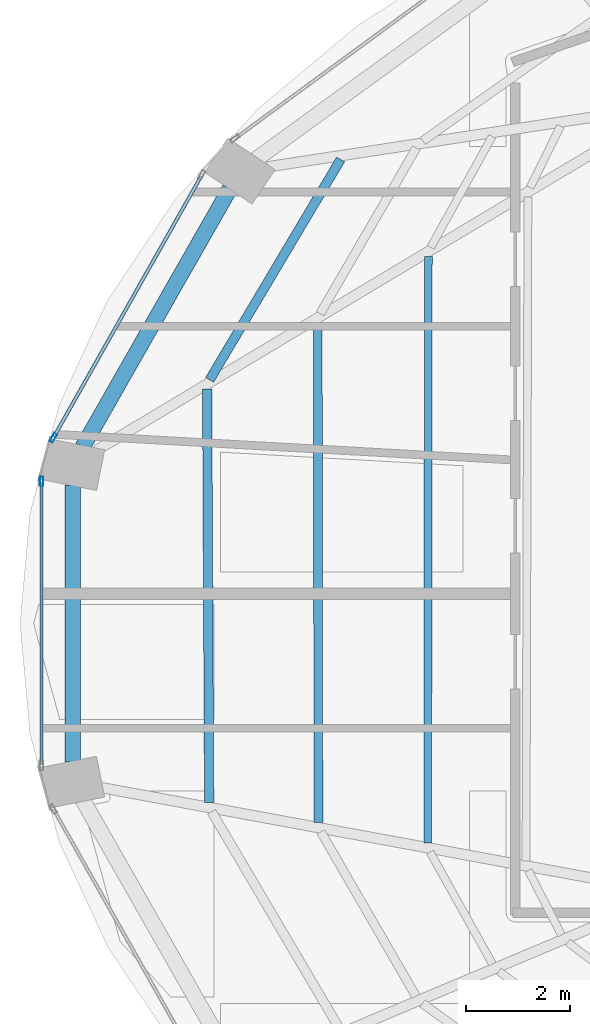
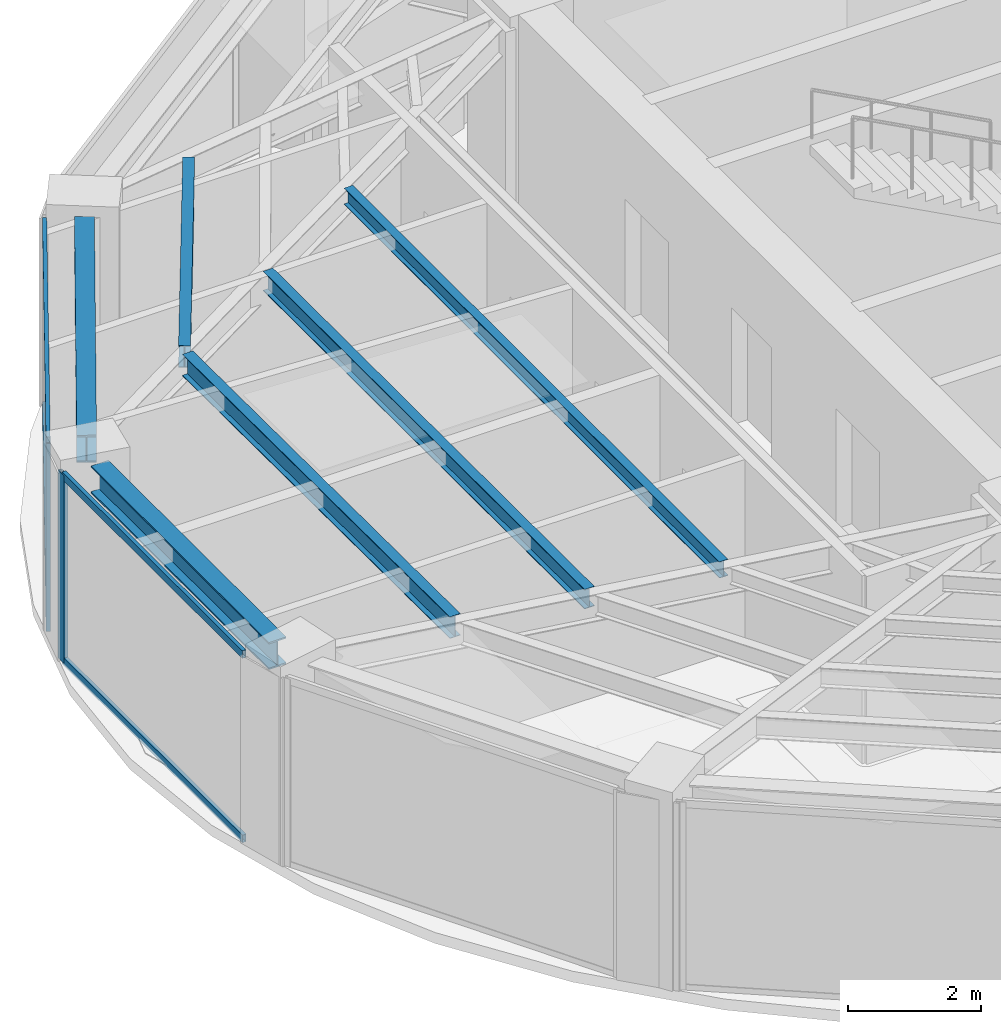
# One storey, part 8 of 23: 6 beams, 6 members, 2 elements without a shape of their own.
"""IFC4 building model written with IfcOpenShell, lengths in metres."""

from ifc_helpers import new_model, si_unit, direction, frame, origin, origin_2d, place, context, subcontext, project, spatial, hollow_rectangle, i_section, extrude, material, layer, layer_set, material_profile, profile_set, type_object, element, aggregate, save


model = new_model("IFC4")

# Units and contexts
model_context = context("Model", 3, precision=1e-05, world=origin(), true_north=direction((0.0, 1.0)))
body_context = subcontext(model_context, "Body", "Model", "MODEL_VIEW")
ifc_project = project(units=[si_unit("LENGTHUNIT", "METRE"), si_unit("AREAUNIT", "SQUARE_METRE"), si_unit("VOLUMEUNIT", "CUBIC_METRE"), si_unit("PLANEANGLEUNIT", "RADIAN"), si_unit("MASSUNIT", "GRAM", prefix="KILO")], contexts=[model_context])

# Site, building, storey
site_placement = place(None, origin())
site = spatial("IfcSite", under=ifc_project, at=site_placement, CompositionType="ELEMENT")
building_placement = place(site_placement, origin())
building = spatial("IfcBuilding", under=site, at=building_placement, Name="Lazwardi Medical Tower", CompositionType="ELEMENT")
storey_placement = place(building_placement, frame((0.0, 0.0, 205.77587890625)))
storey = spatial("IfcBuildingStorey", under=building, at=storey_placement, Name="L53", CompositionType="ELEMENT", Elevation=205.77587890625)

# Beams
ifc_material_1 = material(Name="Steel S355", Category="steel")
ifc_material_profile_1 = material_profile(ifc_material_1, i_section(OverallWidth=0.300048828125, OverallDepth=0.5, WebThickness=0.014404296875, FlangeThickness=0.028076171875, at=origin_2d()), Name="HEB 500")
ifc_profile_set_1 = profile_set([ifc_material_profile_1], Name="Steel S355")
beam_type_1 = type_object("IfcBeamType", Name="BM-RB-Z4", PredefinedType="BEAM", material=ifc_profile_set_1)
beam_1_placement = place(storey_placement, frame((17.84716796875, 33.983642578125, 3.1982421875), z_axis=(-0.495125273299, -0.868821594886, 0.0), x_axis=(0.868821594886, -0.495125273299, 0.0)))
element("IfcBeam", 1, at=beam_1_placement, inside=storey, type_object=beam_type_1, Name="Ring beam RB-05 B11 L53", PredefinedType="BEAM", context=body_context, shape_type="SweptSolid", body=[
    extrude(i_section(OverallWidth=0.300048828125, OverallDepth=0.5, WebThickness=0.014404296875, FlangeThickness=0.028076171875, at=origin_2d()), origin(), (0.0, 0.0, 1.0), 5.734130859375),
])
beam_2_placement = place(storey_placement, frame((14.81494140625, 28.27294921875, 3.1982421875), z_axis=(0.0, -1.0, 0.0), x_axis=(1.0, 0.0, 0.0)))
element("IfcBeam", 2, at=beam_2_placement, inside=storey, type_object=beam_type_1, Name="Ring beam RB-05 B12 L53", PredefinedType="BEAM", context=body_context, shape_type="SweptSolid", body=[
    extrude(i_section(OverallWidth=0.300048828125, OverallDepth=0.5, WebThickness=0.014404296875, FlangeThickness=0.028076171875, at=origin_2d()), origin(), (0.0, 0.0, 1.0), 5.345947265625),
])
ifc_material_profile_2 = material_profile(ifc_material_1, i_section(OverallWidth=0.179931640625, OverallDepth=0.39990234375, WebThickness=0.008544921875, FlangeThickness=0.013427734375, at=origin_2d()), Name="IPE 400")
ifc_profile_set_2 = profile_set([ifc_material_profile_2], Name="Steel S355")
beam_type_2 = type_object("IfcBeamType", Name="BM-SJ-01", PredefinedType="JOIST", material=ifc_profile_set_2)
beam_3_placement = place(storey_placement, frame((19.98095703125, 34.544921875, 3.248046875), z_axis=(-0.510967866251, -0.859599813668, 0.0), x_axis=(0.859599813668, -0.510967866251, 0.0)))
element("IfcBeam", 3, at=beam_3_placement, inside=storey, type_object=beam_type_2, Name="Secondary joist SJ-01 R1 B11 L53", PredefinedType="JOIST", context=body_context, shape_type="SweptSolid", body=[
    extrude(i_section(OverallWidth=0.179931640625, OverallDepth=0.39990234375, WebThickness=0.008544921875, FlangeThickness=0.013427734375, at=origin_2d()), origin(), (0.0, 0.0, 1.0), 4.94189453125),
])
beam_4_placement = place(storey_placement, frame((17.407958984375, 30.120361328125, 3.248046875), z_axis=(0.004929366644, -0.999987850598, 0.0), x_axis=(0.999987850598, 0.004929366644, 0.0)))
element("IfcBeam", 4, at=beam_4_placement, inside=storey, type_object=beam_type_2, Name="Secondary joist SJ-01 R1 B12 L53", PredefinedType="JOIST", context=body_context, shape_type="SweptSolid", body=[
    extrude(i_section(OverallWidth=0.179931640625, OverallDepth=0.39990234375, WebThickness=0.008544921875, FlangeThickness=0.013427734375, at=origin_2d()), origin(), (0.0, 0.0, 1.0), 7.973876953125),
])
ifc_material_profile_3 = material_profile(ifc_material_1, i_section(OverallWidth=0.169921875, OverallDepth=0.360107421875, WebThickness=0.008056640625, FlangeThickness=0.0126953125, at=origin_2d()), Name="IPE 360")
ifc_profile_set_3 = profile_set([ifc_material_profile_3], Name="Steel S355")
beam_type_3 = type_object("IfcBeamType", Name="BM-SJ-02", PredefinedType="JOIST", material=ifc_profile_set_3)
beam_5_placement = place(storey_placement, frame((19.541015625, 31.397705078125, 3.26806640625), z_axis=(0.001367606673, -0.999999064826, 0.0), x_axis=(0.999999064826, 0.001367606673, 0.0)))
element("IfcBeam", 5, at=beam_5_placement, inside=storey, type_object=beam_type_3, Name="Secondary joist SJ-02 R2 B12 L53", PredefinedType="JOIST", context=body_context, shape_type="SweptSolid", body=[
    extrude(i_section(OverallWidth=0.169921875, OverallDepth=0.360107421875, WebThickness=0.008056640625, FlangeThickness=0.0126953125, at=origin_2d()), origin(), (0.0, 0.0, 1.0), 9.639892578125),
])
ifc_material_profile_4 = material_profile(ifc_material_1, i_section(OverallWidth=0.14990234375, OverallDepth=0.300048828125, WebThickness=0.007080078125, FlangeThickness=0.0107421875, at=origin_2d()), Name="IPE 300")
ifc_profile_set_4 = profile_set([ifc_material_profile_4], Name="Steel S355")
beam_type_4 = type_object("IfcBeamType", Name="BM-SJ-03", PredefinedType="JOIST", material=ifc_profile_set_4)
beam_6_placement = place(storey_placement, frame((21.674072265625, 32.67529296875, 3.298095703125), z_axis=(-0.001166079235, -0.999999320129, 0.0), x_axis=(0.999999320129, -0.001166079235, 0.0)))
element("IfcBeam", 6, at=beam_6_placement, inside=storey, type_object=beam_type_4, Name="Secondary joist SJ-03 R3 B12 L53", PredefinedType="JOIST", context=body_context, shape_type="SweptSolid", body=[
    extrude(i_section(OverallWidth=0.14990234375, OverallDepth=0.300048828125, WebThickness=0.007080078125, FlangeThickness=0.0107421875, at=origin_2d()), origin(), (0.0, 0.0, 1.0), 11.305908203125),
])

# Curtain wall, member
ifc_material_2 = material(Name="Anodised bronze aluminium and solar control glazing", Category="aluminium")
ifc_layer = layer(ifc_material_2, 0.18994140625)
ifc_layer_set = layer_set([ifc_layer], Name="Anodised bronze aluminium and solar control glazing")
curtain_wall_type = type_object("IfcCurtainWallType", Name="CW-SYS-04", PredefinedType="NOTDEFINED", material=ifc_layer_set)
curtain_wall_1_placement = place(storey_placement, origin())
curtain_wall_1 = element("IfcCurtainWall", 7, at=curtain_wall_1_placement, inside=storey, type_object=curtain_wall_type, Name="L53 Unitised bronze curtain wall CW-04", PredefinedType="NOTDEFINED")
ifc_material_3 = material(Name="Anodised bronze aluminium", Category="aluminium")
ifc_material_profile_5 = material_profile(ifc_material_3, hollow_rectangle(XDim=0.06494140625, YDim=0.179931640625, WallThickness=0.00390625, at=origin_2d()), Name="ALU-MULLION 180x65x4")
ifc_profile_set_5 = profile_set([ifc_material_profile_5], Name="Anodised bronze aluminium")
member_type_1 = type_object("IfcMemberType", Name="CW-MUL-03", PredefinedType="MULLION", material=ifc_profile_set_5)
member_1_placement = place(storey_placement, frame((14.442626953125, 29.17822265625, 0.0), z_axis=(0.0, 0.0, 1.0), x_axis=(0.870651436011, -0.491900474661, 0.0)))
member_1 = element("IfcMember", 8, at=member_1_placement, type_object=member_type_1, Name="CW-04 mullion 2", PredefinedType="MULLION", context=body_context, shape_type="SweptSolid", body=[
    extrude(hollow_rectangle(XDim=0.06494140625, YDim=0.179931640625, WallThickness=0.00390625, at=origin_2d()), origin(), (0.0, 0.0, 1.0), 3.4482421875),
])

curtain_wall_2_placement = place(storey_placement, origin())
curtain_wall_2 = element("IfcCurtainWall", 9, at=curtain_wall_2_placement, inside=storey, type_object=curtain_wall_type, Name="L53 Unitised bronze curtain wall CW-04", PredefinedType="NOTDEFINED")
member_2_placement = place(storey_placement, frame((14.2158203125, 28.340576171875, 0.0), z_axis=(0.0, 0.0, 1.0), x_axis=(1.0, 0.0, 0.0)))
member_2 = element("IfcMember", 10, at=member_2_placement, type_object=member_type_1, Name="CW-04 mullion 1", PredefinedType="MULLION", context=body_context, shape_type="SweptSolid", body=[
    extrude(hollow_rectangle(XDim=0.06494140625, YDim=0.179931640625, WallThickness=0.00390625, at=origin_2d()), origin(), (0.0, 0.0, 1.0), 3.4482421875),
])

# Member
ifc_material_profile_6 = material_profile(ifc_material_3, hollow_rectangle(XDim=0.06494140625, YDim=0.139892578125, WallThickness=0.00341796875, at=origin_2d()), Name="ALU-TRANSOM 140x65x3.5")
ifc_profile_set_6 = profile_set([ifc_material_profile_6], Name="Anodised bronze aluminium")
member_type_2 = type_object("IfcMemberType", Name="CW-TRN-03", PredefinedType="USERDEFINED", material=ifc_profile_set_6)
member_3_placement = place(storey_placement, frame((17.28955078125, 34.21728515625, 0.03271484375), z_axis=(-0.491879719484, -0.87066316194, 0.0), x_axis=(0.87066316194, -0.491879719484, 0.0)))
member_3 = element("IfcMember", 11, at=member_3_placement, type_object=member_type_2, Name="CW-04 transom 1.1", ObjectType="TRANSOM", PredefinedType="USERDEFINED", context=body_context, shape_type="SweptSolid", body=[
    extrude(hollow_rectangle(XDim=0.06494140625, YDim=0.139892578125, WallThickness=0.00341796875, at=origin_2d()), origin(), (0.0, 0.0, 1.0), 5.755126953125),
])

member_4_placement = place(storey_placement, frame((17.28955078125, 34.21728515625, 3.41552734375), z_axis=(-0.491879719484, -0.87066316194, 0.0), x_axis=(0.87066316194, -0.491879719484, 0.0)))
member_4 = element("IfcMember", 12, at=member_4_placement, type_object=member_type_2, Name="CW-04 transom 1.2", ObjectType="TRANSOM", PredefinedType="USERDEFINED", context=body_context, shape_type="SweptSolid", body=[
    extrude(hollow_rectangle(XDim=0.06494140625, YDim=0.139892578125, WallThickness=0.00341796875, at=origin_2d()), origin(), (0.0, 0.0, 1.0), 5.755126953125),
])

aggregate(curtain_wall_1, [member_1, member_3, member_4])

member_5_placement = place(storey_placement, frame((14.2158203125, 28.30810546875, 0.03271484375), z_axis=(0.0, -1.0, 0.0), x_axis=(1.0, 0.0, 0.0)))
member_5 = element("IfcMember", 13, at=member_5_placement, type_object=member_type_2, Name="CW-04 transom 1.1", ObjectType="TRANSOM", PredefinedType="USERDEFINED", context=body_context, shape_type="SweptSolid", body=[
    extrude(hollow_rectangle(XDim=0.06494140625, YDim=0.139892578125, WallThickness=0.00341796875, at=origin_2d()), origin(), (0.0, 0.0, 1.0), 5.416015625),
])

member_6_placement = place(storey_placement, frame((14.2158203125, 28.30810546875, 3.41552734375), z_axis=(0.0, -1.0, 0.0), x_axis=(1.0, 0.0, 0.0)))
member_6 = element("IfcMember", 14, at=member_6_placement, type_object=member_type_2, Name="CW-04 transom 1.2", ObjectType="TRANSOM", PredefinedType="USERDEFINED", context=body_context, shape_type="SweptSolid", body=[
    extrude(hollow_rectangle(XDim=0.06494140625, YDim=0.139892578125, WallThickness=0.00341796875, at=origin_2d()), origin(), (0.0, 0.0, 1.0), 5.416015625),
])

aggregate(curtain_wall_2, [member_2, member_5, member_6])

save(model, "model.ifc")
